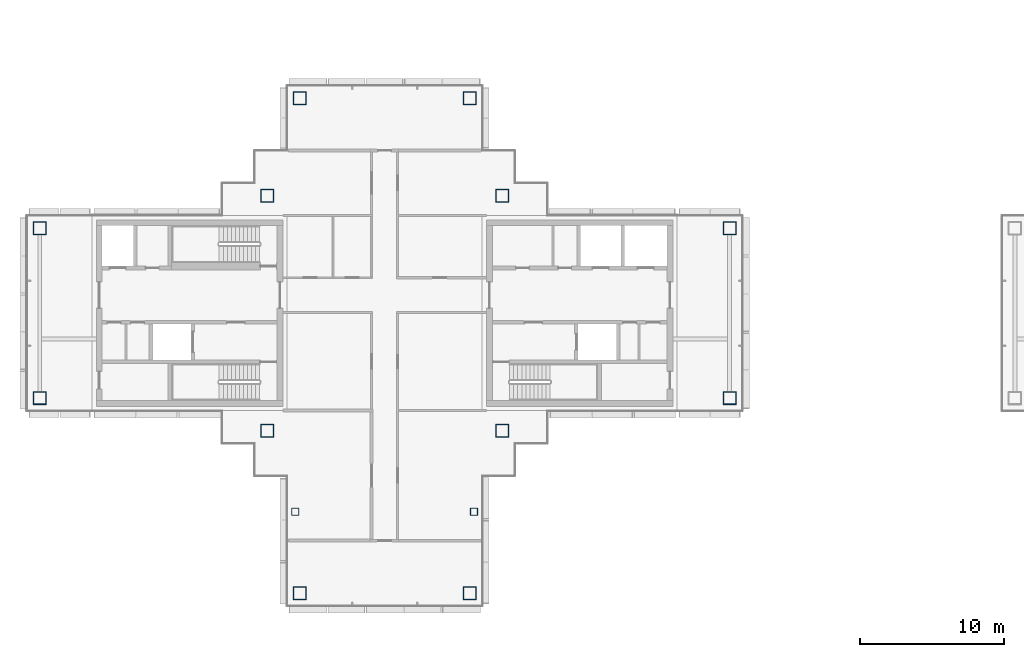
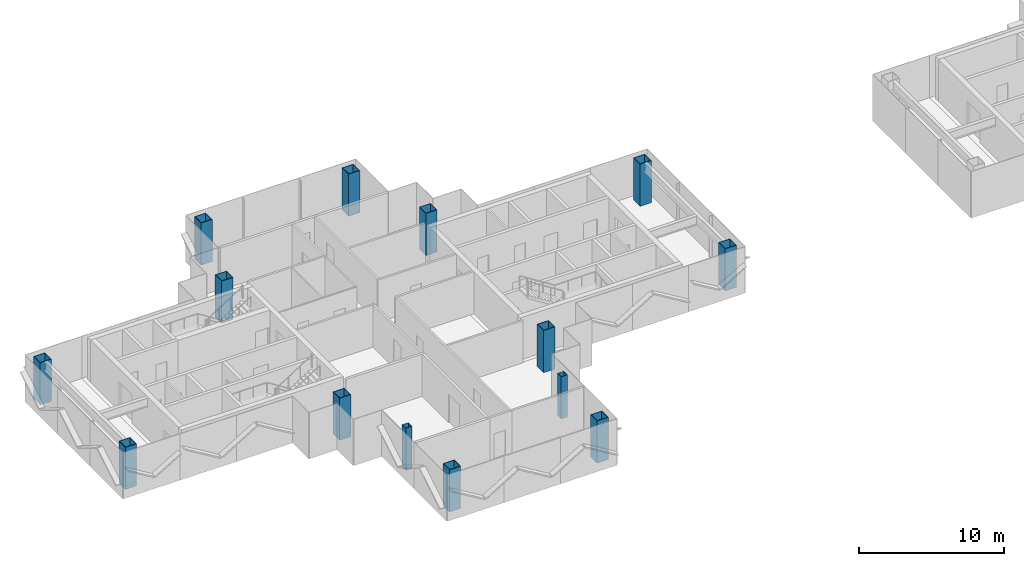
# One storey, part 1 of 17: 14 columns.
"""IFC4 building model written with IfcOpenShell, lengths in metres."""

from ifc_helpers import new_model, si_unit, direction, frame, origin, origin_2d, place, context, subcontext, project, spatial, hollow_rectangle, extrude, material, material_profile, profile_set, type_object, element, save


model = new_model("IFC4")

# Units and contexts
model_context = context("Model", 3, precision=1e-05, world=origin(), true_north=direction((0.0, 1.0)))
body_context = subcontext(model_context, "Body", "Model", "MODEL_VIEW")
ifc_project = project(units=[si_unit("LENGTHUNIT", "METRE"), si_unit("AREAUNIT", "SQUARE_METRE"), si_unit("VOLUMEUNIT", "CUBIC_METRE"), si_unit("PLANEANGLEUNIT", "RADIAN"), si_unit("MASSUNIT", "GRAM", prefix="KILO")], contexts=[model_context])

# Site, building, storey
site_placement = place(None, origin())
site = spatial("IfcSite", under=ifc_project, at=site_placement, CompositionType="ELEMENT")
building_placement = place(site_placement, origin())
building = spatial("IfcBuilding", under=site, at=building_placement, Name="Shamsa Quay Exchange Towers", CompositionType="ELEMENT")
storey_placement = place(building_placement, frame((0.0, 0.0, 230.39990234375)))
storey = spatial("IfcBuildingStorey", under=building, at=storey_placement, Name="L55", CompositionType="ELEMENT", Elevation=230.39990234375)

# Columns
ifc_material_1 = material(Name="Concrete-filled steel tube S355 / C60/75", Category="concrete")
ifc_material_profile_1 = material_profile(ifc_material_1, hollow_rectangle(XDim=0.5, YDim=0.5, WallThickness=0.01611328125, at=origin_2d()), Name="CFT 500x500x16")
ifc_profile_set_1 = profile_set([ifc_material_profile_1], Name="Concrete-filled steel tube S355 / C60/75")
column_type_1 = type_object("IfcColumnType", Name="Column CFT 500x500x16", PredefinedType="COLUMN", material=ifc_profile_set_1)
for number, where, name in (
    (1, (-39.9375, -13.75, 0.0), "Perimeter column T1-CP19"),
    (2, (-27.5625, -13.75, 0.0), "Perimeter column T1-CP22"),
):
    element("IfcColumn", number, at=place(storey_placement, frame(where)), inside=storey, type_object=column_type_1, Name=name, PredefinedType="COLUMN", context=body_context, shape_type="SweptSolid", body=[
        extrude(hollow_rectangle(XDim=0.5, YDim=0.5, WallThickness=0.01611328125, at=origin_2d()), origin(), (0.0, 0.0, 1.0), 3.550048828125),
    ])
ifc_material_2 = material(Name="Concrete-filled steel tube S355 / C80/95", Category="concrete")
ifc_material_profile_2 = material_profile(ifc_material_2, hollow_rectangle(XDim=0.89990234375, YDim=0.89990234375, WallThickness=0.035888671875, at=origin_2d()), Name="CFT 900x900x36")
ifc_profile_set_2 = profile_set([ifc_material_profile_2], Name="Concrete-filled steel tube S355 / C80/95")
column_type_2 = type_object("IfcColumnType", Name="Column CFT 900x900x36", PredefinedType="COLUMN", material=ifc_profile_set_2)
for number, where, name in (
    (3, (-25.625, 8.125, 0.0), "Mega column T1-CM01"),
    (4, (-25.625, -8.125, 0.0), "Mega column T1-CM02"),
    (5, (-41.875, 8.125, 0.0), "Mega column T1-CM03"),
    (6, (-41.875, -8.125, 0.0), "Mega column T1-CM04"),
    (7, (-9.875, -5.875, 0.0), "Mega column T1-CM05"),
    (8, (-9.875, 5.875, 0.0), "Mega column T1-CM07"),
    (9, (-57.625, -5.875, 0.0), "Mega column T1-CM09"),
    (10, (-57.625, 5.875, 0.0), "Mega column T1-CM11"),
    (11, (-39.625, 14.875, 0.0), "Mega column T1-CM13"),
    (12, (-27.875, 14.875, 0.0), "Mega column T1-CM16"),
    (13, (-39.625, -19.375, 0.0), "Mega column T1-CM20"),
    (14, (-27.875, -19.375, 0.0), "Mega column T1-CM23"),
):
    element("IfcColumn", number, at=place(storey_placement, frame(where)), inside=storey, type_object=column_type_2, Name=name, PredefinedType="COLUMN", context=body_context, shape_type="SweptSolid", body=[
        extrude(hollow_rectangle(XDim=0.89990234375, YDim=0.89990234375, WallThickness=0.035888671875, at=origin_2d()), origin(), (0.0, 0.0, 1.0), 3.550048828125),
    ])

save(model, "model.ifc")
